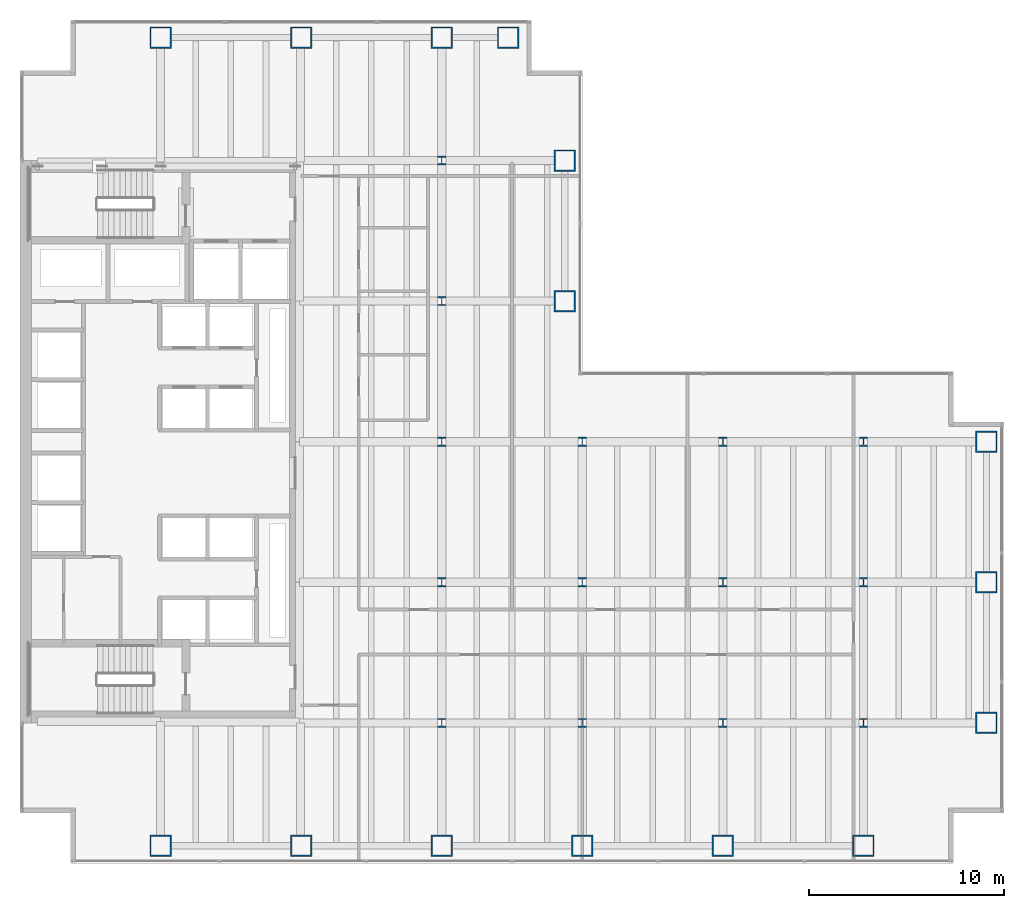
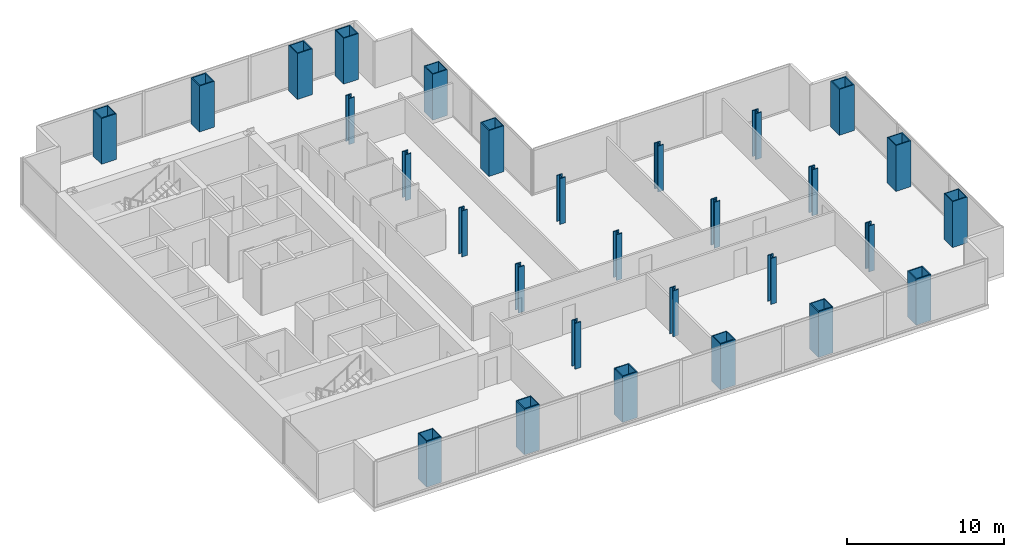
# One storey, part 1 of 23: 29 columns.
"""IFC4 building model written with IfcOpenShell, lengths in metres."""

from ifc_helpers import new_model, si_unit, direction, frame, origin, origin_2d, place, context, subcontext, project, spatial, hollow_rectangle, i_section, extrude, material, material_profile, profile_set, type_object, element, save


model = new_model("IFC4")

# Units and contexts
model_context = context("Model", 3, precision=1e-05, world=origin(), true_north=direction((0.0, 1.0)))
body_context = subcontext(model_context, "Body", "Model", "MODEL_VIEW")
ifc_project = project(units=[si_unit("LENGTHUNIT", "METRE"), si_unit("AREAUNIT", "SQUARE_METRE"), si_unit("VOLUMEUNIT", "CUBIC_METRE"), si_unit("PLANEANGLEUNIT", "RADIAN"), si_unit("MASSUNIT", "GRAM", prefix="KILO")], contexts=[model_context])

# Site, building, storey
site_placement = place(None, origin())
site = spatial("IfcSite", under=ifc_project, at=site_placement, CompositionType="ELEMENT")
building_placement = place(site_placement, origin())
building = spatial("IfcBuilding", under=site, at=building_placement, Name="Cobrela Telecom Tower", CompositionType="ELEMENT")
storey_placement = place(building_placement, frame((0.0, 0.0, 38.85009765625)))
storey = spatial("IfcBuildingStorey", under=building, at=storey_placement, Name="L09", CompositionType="ELEMENT", Elevation=38.85009765625)

# Columns
ifc_material_1 = material(Name="Steel ASTM A992 Grade 50", Category="steel")
ifc_material_profile_1 = material_profile(ifc_material_1, i_section(OverallWidth=0.422119140625, OverallDepth=0.465087890625, WebThickness=0.044921875, FlangeThickness=0.072509765625, FilletRadius=0.01806640625, at=origin_2d()), Name="W14X398")
ifc_profile_set_1 = profile_set([ifc_material_profile_1], Name="Steel ASTM A992 Grade 50")
column_type_1 = type_object("IfcColumnType", Name="COL-INT-04", PredefinedType="COLUMN", material=ifc_profile_set_1)
for number, where, z_axis, x_axis, name in (
    (1, (21.60009765625, 7.199951171875, 0.0), (0.0, 0.0, 1.0), (1.0, 0.0, 0.0), "L09 Interior Column 06"),
    (2, (21.60009765625, 14.39990234375, 0.0), (0.0, 0.0, 1.0), (1.0, 0.0, 0.0), "L09 Interior Column 07"),
    (3, (21.60009765625, 21.60009765625, 0.0), (0.0, 0.0, 1.0), (1.0, 0.0, 0.0), "L09 Interior Column 08"),
    (4, (21.60009765625, 28.800048828125, 0.0), (0.0, 0.0, 1.0), (1.0, 0.0, 0.0), "L09 Interior Column 09"),
    (5, (21.60009765625, 36.0, 0.0), (0.0, 0.0, 1.0), (1.0, 0.0, 0.0), "L09 Interior Column 10"),
    (6, (28.800048828125, 7.199951171875, 0.0), (0.0, 0.0, 1.0), (1.0, 0.0, 0.0), "L09 Interior Column 16"),
    (7, (28.800048828125, 14.39990234375, 0.0), (0.0, 0.0, 1.0), (1.0, 0.0, 0.0), "L09 Interior Column 17"),
    (8, (28.800048828125, 21.60009765625, 0.0), (0.0, 0.0, 1.0), (1.0, 0.0, 0.0), "L09 Interior Column 18"),
    (9, (36.0, 7.199951171875, 0.0), (0.0, 0.0, 1.0), (1.0, 0.0, 0.0), "L09 Interior Column 20"),
    (10, (36.0, 14.39990234375, 0.0), (0.0, 0.0, 1.0), (1.0, 0.0, 0.0), "L09 Interior Column 21"),
    (11, (36.0, 21.60009765625, 0.0), (0.0, 0.0, 1.0), (1.0, 0.0, 0.0), "L09 Interior Column 22"),
    (12, (43.199951171875, 7.199951171875, 0.0), (0.0, 0.0, 1.0), (1.0, 0.0, 0.0), "L09 Interior Column 24"),
    (13, (43.199951171875, 14.39990234375, 0.0), (0.0, 0.0, 1.0), (1.0, 0.0, 0.0), "L09 Interior Column 25"),
    (14, (43.199951171875, 21.60009765625, 0.0), (0.0, 0.0, 1.0), (1.0, 0.0, 0.0), "L09 Interior Column 26"),
):
    element("IfcColumn", number, at=place(storey_placement, frame(where, z_axis=z_axis, x_axis=x_axis)), inside=storey, type_object=column_type_1, Name=name, PredefinedType="COLUMN", context=body_context, shape_type="SweptSolid", body=[
        extrude(i_section(OverallWidth=0.422119140625, OverallDepth=0.465087890625, WebThickness=0.044921875, FlangeThickness=0.072509765625, FilletRadius=0.01806640625, at=origin_2d()), origin(), (0.0, 0.0, 1.0), 3.56982421875),
    ])
ifc_material_2 = material(Name="Steel ASTM A572 Grade 50", Category="steel")
ifc_material_profile_2 = material_profile(ifc_material_2, hollow_rectangle(XDim=1.10009765625, YDim=1.10009765625, WallThickness=0.070068359375, at=origin_2d()), Name="BOX 1100x1100x70")
ifc_profile_set_2 = profile_set([ifc_material_profile_2], Name="Steel ASTM A572 Grade 50")
column_type_2 = type_object("IfcColumnType", Name="COL-MEGA-02", PredefinedType="COLUMN", material=ifc_profile_set_2)
for number, where, z_axis, x_axis, name in (
    (15, (7.199951171875, 0.89990234375, 0.0), (0.0, 0.0, 1.0), (1.0, 0.0, 0.0), "L09 Perimeter Mega-Column 01"),
    (16, (7.199951171875, 42.300048828125, 0.0), (0.0, 0.0, 1.0), (1.0, 0.0, 0.0), "L09 Perimeter Mega-Column 02"),
    (17, (14.39990234375, 0.89990234375, 0.0), (0.0, 0.0, 1.0), (1.0, 0.0, 0.0), "L09 Perimeter Mega-Column 03"),
    (18, (14.39990234375, 42.300048828125, 0.0), (0.0, 0.0, 1.0), (1.0, 0.0, 0.0), "L09 Perimeter Mega-Column 04"),
    (19, (21.60009765625, 0.89990234375, 0.0), (0.0, 0.0, 1.0), (1.0, 0.0, 0.0), "L09 Perimeter Mega-Column 05"),
    (20, (21.60009765625, 42.300048828125, 0.0), (0.0, 0.0, 1.0), (1.0, 0.0, 0.0), "L09 Perimeter Mega-Column 11"),
    (21, (25.0, 42.300048828125, 0.0), (0.0, 0.0, 1.0), (1.0, 0.0, 0.0), "L09 Perimeter Mega-Column 12"),
    (22, (27.89990234375, 28.800048828125, 0.0), (0.0, 0.0, 1.0), (1.0, 0.0, 0.0), "L09 Perimeter Mega-Column 13"),
    (23, (27.89990234375, 36.0, 0.0), (0.0, 0.0, 1.0), (1.0, 0.0, 0.0), "L09 Perimeter Mega-Column 14"),
    (24, (28.800048828125, 0.89990234375, 0.0), (0.0, 0.0, 1.0), (1.0, 0.0, 0.0), "L09 Perimeter Mega-Column 15"),
    (25, (36.0, 0.89990234375, 0.0), (0.0, 0.0, 1.0), (1.0, 0.0, 0.0), "L09 Perimeter Mega-Column 19"),
    (26, (43.199951171875, 0.89990234375, 0.0), (0.0, 0.0, 1.0), (1.0, 0.0, 0.0), "L09 Perimeter Mega-Column 23"),
    (27, (49.5, 7.199951171875, 0.0), (0.0, 0.0, 1.0), (1.0, 0.0, 0.0), "L09 Perimeter Mega-Column 27"),
    (28, (49.5, 14.39990234375, 0.0), (0.0, 0.0, 1.0), (1.0, 0.0, 0.0), "L09 Perimeter Mega-Column 28"),
    (29, (49.5, 21.60009765625, 0.0), (0.0, 0.0, 1.0), (1.0, 0.0, 0.0), "L09 Perimeter Mega-Column 29"),
):
    element("IfcColumn", number, at=place(storey_placement, frame(where, z_axis=z_axis, x_axis=x_axis)), inside=storey, type_object=column_type_2, Name=name, PredefinedType="COLUMN", context=body_context, shape_type="SweptSolid", body=[
        extrude(hollow_rectangle(XDim=1.10009765625, YDim=1.10009765625, WallThickness=0.070068359375, at=origin_2d()), origin(), (0.0, 0.0, 1.0), 3.56982421875),
    ])

save(model, "model.ifc")
